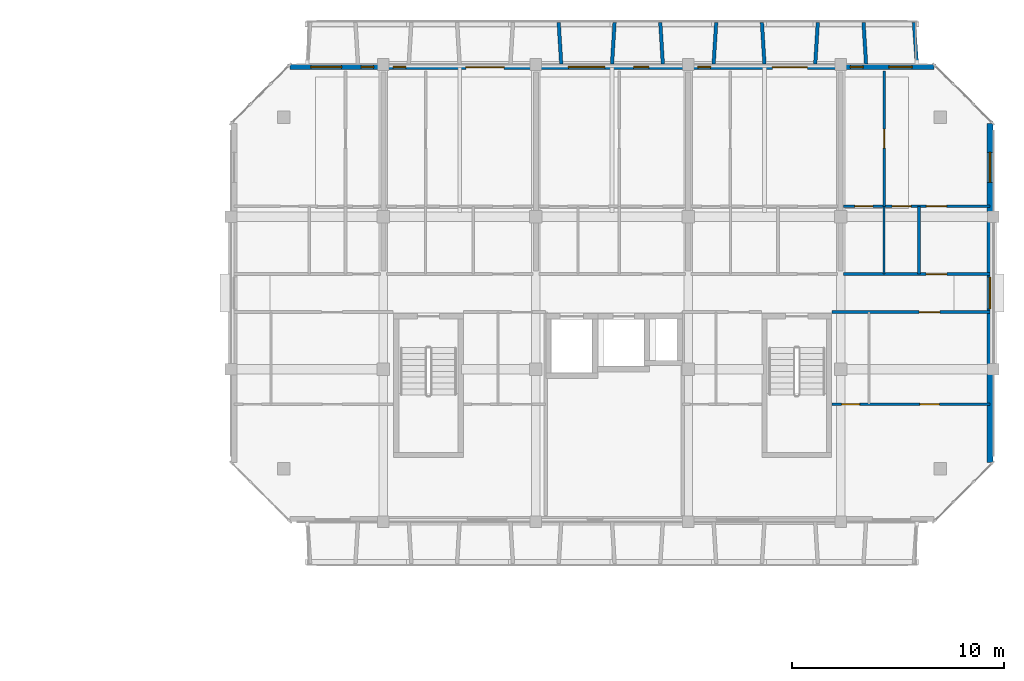
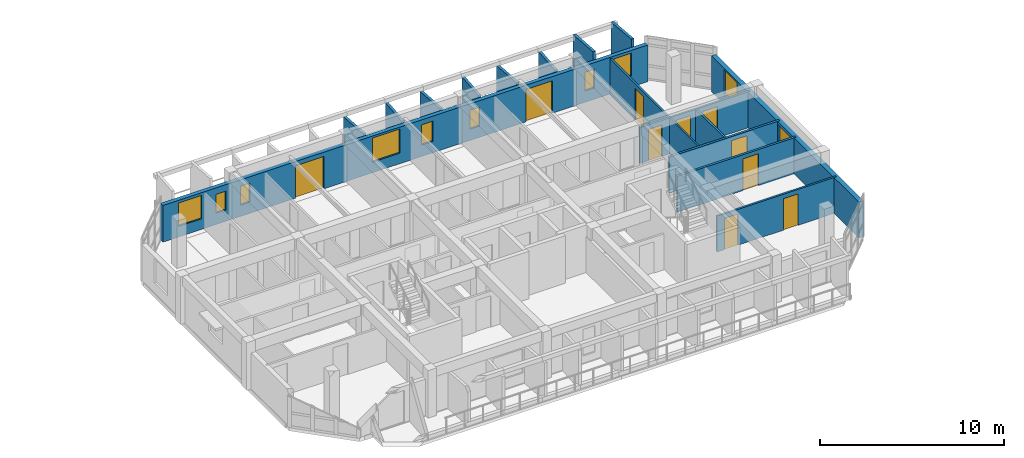
# One storey, part 35 of 51: 17 walls, 10 doors, 10 windows, 20 openings.
"""IFC4 building model written with IfcOpenShell, lengths in metres."""

from ifc_helpers import new_model, si_unit, direction, frame, frame_2d, origin, place, context, subcontext, project, spatial, rectangle, extrude, material, layer, layer_set, type_object, element, fill, save


model = new_model("IFC4")

# Units and contexts
model_context = context("Model", 3, precision=1e-05, world=origin(), true_north=direction((0.0, 1.0)))
body_context = subcontext(model_context, "Body", "Model", "MODEL_VIEW")
ifc_project = project(units=[si_unit("LENGTHUNIT", "METRE"), si_unit("AREAUNIT", "SQUARE_METRE"), si_unit("VOLUMEUNIT", "CUBIC_METRE"), si_unit("PLANEANGLEUNIT", "RADIAN"), si_unit("MASSUNIT", "GRAM", prefix="KILO")], contexts=[model_context])

# Site, building, storey
site_placement = place(None, origin())
site = spatial("IfcSite", under=ifc_project, at=site_placement, CompositionType="ELEMENT")
building_placement = place(site_placement, origin())
building = spatial("IfcBuilding", under=site, at=building_placement, Name="Ochrevale Crest", CompositionType="ELEMENT")
storey_placement = place(building_placement, frame((0.0, 0.0, 11.85009765625)))
storey = spatial("IfcBuildingStorey", under=building, at=storey_placement, Name="L03", CompositionType="ELEMENT", Elevation=11.85009765625)

# Wall, opening, door
ifc_material_1 = material(Name="Gypsum plasterboard", Category="gypsum")
ifc_layer_1 = layer(ifc_material_1, 0.139892578125)
ifc_layer_set_1 = layer_set([ifc_layer_1], Name="Gypsum plasterboard")
wall_type_1 = type_object("IfcWallType", Name="WL-COR-140", PredefinedType="PARTITIONING", material=ifc_layer_set_1)
wall_1_placement = place(storey_placement, frame((158.5400390625, 83.699951171875, 0.0), z_axis=(0.0, 0.0, 1.0), x_axis=(1.0, 0.0, 0.0)))
wall_1 = element("IfcWall", 1, at=wall_1_placement, inside=storey, type_object=wall_type_1, Name="Apartment D-L03-U5 corridor wall", PredefinedType="PARTITIONING", context=body_context, shape_type="SweptSolid", body=[
    extrude(rectangle(XDim=6.919921875, YDim=0.139892578125, at=frame_2d((3.4599609375, 0.0))), origin(), (0.0, 0.0, 1.0), 2.3798828125),
])
opening_1_placement = place(wall_1_placement, frame((4.875, 0.0, 0.0), z_axis=(0.0, 0.0, 1.0), x_axis=(-1.0, 0.0, 0.0)))
opening_1 = element("IfcOpeningElement", 2, at=opening_1_placement, cuts=wall_1, Name="Opening FD01", PredefinedType="OPENING", context=body_context, shape_type="SweptSolid", body=[
    extrude(rectangle(XDim=0.97998046875, YDim=2.10009765625, at=frame_2d((0.489990234375, 1.050048828125))), frame((0.0, 0.080078125, 0.0), z_axis=(0.0, -1.0, 0.0), x_axis=(1.0, 0.0, 0.0)), (0.0, 0.0, 1.0), 0.159912109375),
])
ifc_material_2 = material(Name="Solid-core FSC hardwood", Category="wood")
door_type_1 = type_object("IfcDoorType", Name="DR-APT-950", OperationType="NOTDEFINED", PredefinedType="DOOR", material=ifc_material_2)
door_1_placement = place(opening_1_placement, origin())
door_1 = element("IfcDoor", 3, at=door_1_placement, inside=storey, type_object=door_type_1, Name="Apartment D-L03-U5 entrance door", OperationType="SINGLE_SWING_RIGHT", OverallHeight=2.10009765625, OverallWidth=0.97998046875, PredefinedType="DOOR", context=body_context, shape_type="SweptSolid", body=[
    extrude(rectangle(XDim=0.97998046875, YDim=2.10009765625, at=frame_2d((0.489990234375, 1.050048828125))), frame((0.0, 0.02490234375, 0.0), z_axis=(0.0, -1.0, 0.0), x_axis=(1.0, 0.0, 0.0)), (0.0, 0.0, 1.0), 0.050048828125),
])
fill(opening_1, door_1)

wall_2_placement = place(storey_placement, frame((157.989990234375, 81.89990234375, 0.0), z_axis=(0.0, 0.0, 1.0), x_axis=(1.0, 0.0, 0.0)))
wall_2 = element("IfcWall", 4, at=wall_2_placement, inside=storey, type_object=wall_type_1, Name="Suite D-L03-CE corridor wall", PredefinedType="PARTITIONING", context=body_context, shape_type="SweptSolid", body=[
    extrude(rectangle(XDim=7.469970703125, YDim=0.139892578125, at=frame_2d((3.73486328125, 0.0))), origin(), (0.0, 0.0, 1.0), 2.3798828125),
])
opening_2_placement = place(wall_2_placement, frame((5.10009765625, 0.0, 0.0), z_axis=(0.0, 0.0, 1.0), x_axis=(-1.0, 0.0, 0.0)))
opening_2 = element("IfcOpeningElement", 5, at=opening_2_placement, cuts=wall_2, Name="Opening FD01", PredefinedType="OPENING", context=body_context, shape_type="SweptSolid", body=[
    extrude(rectangle(XDim=0.97998046875, YDim=2.10009765625, at=frame_2d((0.489990234375, 1.050048828125))), frame((0.0, 0.080078125, 0.0), z_axis=(0.0, -1.0, 0.0), x_axis=(1.0, 0.0, 0.0)), (0.0, 0.0, 1.0), 0.159912109375),
])
door_2_placement = place(opening_2_placement, origin())
door_2 = element("IfcDoor", 6, at=door_2_placement, inside=storey, type_object=door_type_1, Name="Suite D-L03-CE entrance door", OperationType="SINGLE_SWING_RIGHT", OverallHeight=2.10009765625, OverallWidth=0.97998046875, PredefinedType="DOOR", context=body_context, shape_type="SweptSolid", body=[
    extrude(rectangle(XDim=0.97998046875, YDim=2.10009765625, at=frame_2d((0.489990234375, 1.050048828125))), frame((0.0, 0.02490234375, 0.0), z_axis=(0.0, -1.0, 0.0), x_axis=(1.0, 0.0, 0.0)), (0.0, 0.0, 1.0), 0.050048828125),
])
fill(opening_2, door_2)

# Wall, openings, windows
ifc_material_3 = material(Name="Clay face brickwork", Category="masonry")
ifc_layer_2 = layer(ifc_material_3, 0.2900390625)
ifc_layer_set_2 = layer_set([ifc_layer_2], Name="Clay face brickwork")
wall_type_2 = type_object("IfcWallType", Name="WL-EXT-BRICK-290", PredefinedType="SOLIDWALL", material=ifc_layer_set_2)
wall_3_placement = place(storey_placement, frame((165.455078125, 74.800048828125, 0.0), z_axis=(0.0, 0.0, 1.0), x_axis=(0.0, 1.0, 0.0)))
wall_3 = element("IfcWall", 7, at=wall_3_placement, inside=storey, type_object=wall_type_2, Name="Block D L03 external facade wall E3", PredefinedType="SOLIDWALL", context=body_context, shape_type="SweptSolid", body=[
    extrude(rectangle(XDim=16.0, YDim=0.2900390625, at=frame_2d((8.0, 0.0))), origin(), (0.0, 0.0, 1.0), 2.3798828125),
])
opening_3_placement = place(wall_3_placement, frame((7.25, 0.0, 1.050048828125)))
opening_3 = element("IfcOpeningElement", 8, at=opening_3_placement, cuts=wall_3, Name="Opening W18", PredefinedType="OPENING", context=body_context, shape_type="SweptSolid", body=[
    extrude(rectangle(XDim=1.5, YDim=1.14990234375, at=frame_2d((0.75, 0.574951171875))), frame((0.0, 0.155029296875, 0.0), z_axis=(0.0, -1.0, 0.0), x_axis=(1.0, 0.0, 0.0)), (0.0, 0.0, 1.0), 0.31005859375),
])
opening_4_placement = place(wall_3_placement, frame((13.22509765625, 0.0, 0.669921875)))
opening_4 = element("IfcOpeningElement", 9, at=opening_4_placement, cuts=wall_3, Name="Opening W31", PredefinedType="OPENING", context=body_context, shape_type="SweptSolid", body=[
    extrude(rectangle(XDim=1.419921875, YDim=1.60009765625, at=frame_2d((0.7099609375, 0.800048828125))), frame((0.0, 0.155029296875, 0.0), z_axis=(0.0, -1.0, 0.0), x_axis=(1.0, 0.0, 0.0)), (0.0, 0.0, 1.0), 0.31005859375),
])
ifc_material_4 = material(Name="Anodised aluminium 6063-T5 and low-E double glazing", Category="aluminium")
window_type_1 = type_object("IfcWindowType", Name="WIN-W18", PartitioningType="SINGLE_PANEL", PredefinedType="WINDOW", material=ifc_material_4)
window_1_placement = place(opening_3_placement, origin())
window_1 = element("IfcWindow", 10, at=window_1_placement, inside=storey, type_object=window_type_1, Name="Block D L03 corridor end daylight window E", OverallHeight=1.14990234375, OverallWidth=1.5, PartitioningType="SINGLE_PANEL", PredefinedType="WINDOW", context=body_context, shape_type="SweptSolid", body=[
    extrude(rectangle(XDim=1.5, YDim=1.14990234375, at=frame_2d((0.75, 0.574951171875))), frame((0.0, 0.030029296875, 0.0), z_axis=(0.0, -1.0, 0.0), x_axis=(1.0, 0.0, 0.0)), (0.0, 0.0, 1.0), 0.06005859375),
])
fill(opening_3, window_1)
window_type_2 = type_object("IfcWindowType", Name="WIN-W31", PartitioningType="SINGLE_PANEL", PredefinedType="WINDOW", material=ifc_material_4)
window_2_placement = place(opening_4_placement, origin())
window_2 = element("IfcWindow", 11, at=window_2_placement, inside=storey, type_object=window_type_2, Name="Block D L03 side suite window E", OverallHeight=1.60009765625, OverallWidth=1.419921875, PartitioningType="SINGLE_PANEL", PredefinedType="WINDOW", context=body_context, shape_type="SweptSolid", body=[
    extrude(rectangle(XDim=1.419921875, YDim=1.60009765625, at=frame_2d((0.7099609375, 0.800048828125))), frame((0.0, 0.030029296875, 0.0), z_axis=(0.0, -1.0, 0.0), x_axis=(1.0, 0.0, 0.0)), (0.0, 0.0, 1.0), 0.06005859375),
])
fill(opening_4, window_2)

# Wall, openings, doors, windows
ifc_material_5 = material(Name="Precast concrete C40/50", Category="concrete")
ifc_layer_3 = layer(ifc_material_5, 0.25)
ifc_layer_set_3 = layer_set([ifc_layer_3], Name="Precast concrete C40/50")
wall_type_3 = type_object("IfcWallType", Name="WL-EXT-GOLD-250", PredefinedType="SOLIDWALL", material=ifc_layer_set_3)
wall_4_placement = place(storey_placement, frame((162.800048828125, 93.47509765625, 0.0), z_axis=(0.0, 0.0, 1.0), x_axis=(-1.0, 0.0, 0.0)))
wall_4 = element("IfcWall", 12, at=wall_4_placement, inside=storey, type_object=wall_type_3, Name="Block D L03 external facade wall E5", PredefinedType="SOLIDWALL", context=body_context, shape_type="SweptSolid", body=[
    extrude(rectangle(XDim=30.400146484375, YDim=0.25, at=frame_2d((15.2001953125, 0.0))), origin(), (0.0, 0.0, 1.0), 2.429931640625),
])
opening_5_placement = place(wall_4_placement, frame((22.10009765625, 0.0, 0.0), z_axis=(0.0, 0.0, 1.0), x_axis=(-1.0, 0.0, 0.0)))
opening_5 = element("IfcOpeningElement", 13, at=opening_5_placement, cuts=wall_4, Name="Opening BD03", PredefinedType="OPENING", context=body_context, shape_type="SweptSolid", body=[
    extrude(rectangle(XDim=1.800048828125, YDim=2.14990234375, at=frame_2d((0.89990234375, 1.074951171875))), frame((0.0, 0.135009765625, 0.0), z_axis=(0.0, -1.0, 0.0), x_axis=(1.0, 0.0, 0.0)), (0.0, 0.0, 1.0), 0.27001953125),
])
opening_6_placement = place(wall_4_placement, frame((7.625, 0.0, 0.0), z_axis=(0.0, 0.0, 1.0), x_axis=(-1.0, 0.0, 0.0)))
opening_6 = element("IfcOpeningElement", 14, at=opening_6_placement, cuts=wall_4, Name="Opening BD02", PredefinedType="OPENING", context=body_context, shape_type="SweptSolid", body=[
    extrude(rectangle(XDim=1.64990234375, YDim=2.14990234375, at=frame_2d((0.824951171875, 1.074951171875))), frame((0.0, 0.135009765625, 0.0), z_axis=(0.0, -1.0, 0.0), x_axis=(1.0, 0.0, 0.0)), (0.0, 0.0, 1.0), 0.27001953125),
])
opening_7_placement = place(wall_4_placement, frame((27.969970703125, 0.0, 0.699951171875)))
opening_7 = element("IfcOpeningElement", 15, at=opening_7_placement, cuts=wall_4, Name="Opening W08", PredefinedType="OPENING", context=body_context, shape_type="SweptSolid", body=[
    extrude(rectangle(XDim=1.4599609375, YDim=1.550048828125, at=frame_2d((0.72998046875, 0.77490234375))), frame((0.0, 0.135009765625, 0.0), z_axis=(0.0, -1.0, 0.0), x_axis=(1.0, 0.0, 0.0)), (0.0, 0.0, 1.0), 0.27001953125),
])
opening_8_placement = place(wall_4_placement, frame((26.45751953125, 0.0, 0.75)))
opening_8 = element("IfcOpeningElement", 16, at=opening_8_placement, cuts=wall_4, Name="Opening W01", PredefinedType="OPENING", context=body_context, shape_type="SweptSolid", body=[
    extrude(rectangle(XDim=0.60009765625, YDim=1.25, at=frame_2d((0.300048828125, 0.625))), frame((0.0, 0.135009765625, 0.0), z_axis=(0.0, -1.0, 0.0), x_axis=(1.0, 0.0, 0.0)), (0.0, 0.0, 1.0), 0.27001953125),
])
opening_9_placement = place(wall_4_placement, frame((24.9423828125, 0.0, 0.75)))
opening_9 = element("IfcOpeningElement", 17, at=opening_9_placement, cuts=wall_4, Name="Opening W01", PredefinedType="OPENING", context=body_context, shape_type="SweptSolid", body=[
    extrude(rectangle(XDim=0.60009765625, YDim=1.25, at=frame_2d((0.300048828125, 0.625))), frame((0.0, 0.135009765625, 0.0), z_axis=(0.0, -1.0, 0.0), x_axis=(1.0, 0.0, 0.0)), (0.0, 0.0, 1.0), 0.27001953125),
])
opening_10_placement = place(wall_4_placement, frame((15.5400390625, 0.0, 0.699951171875)))
opening_10 = element("IfcOpeningElement", 18, at=opening_10_placement, cuts=wall_4, Name="Opening W10", PredefinedType="OPENING", context=body_context, shape_type="SweptSolid", body=[
    extrude(rectangle(XDim=1.719970703125, YDim=1.60009765625, at=frame_2d((0.85986328125, 0.800048828125))), frame((0.0, 0.135009765625, 0.0), z_axis=(0.0, -1.0, 0.0), x_axis=(1.0, 0.0, 0.0)), (0.0, 0.0, 1.0), 0.27001953125),
])
opening_11_placement = place(wall_4_placement, frame((13.465087890625, 0.0, 0.75)))
opening_11 = element("IfcOpeningElement", 19, at=opening_11_placement, cuts=wall_4, Name="Opening W02", PredefinedType="OPENING", context=body_context, shape_type="SweptSolid", body=[
    extrude(rectangle(XDim=0.719970703125, YDim=1.35009765625, at=frame_2d((0.35986328125, 0.675048828125))), frame((0.0, 0.135009765625, 0.0), z_axis=(0.0, -1.0, 0.0), x_axis=(1.0, 0.0, 0.0)), (0.0, 0.0, 1.0), 0.27001953125),
])
opening_12_placement = place(wall_4_placement, frame((10.54248046875, 0.0, 0.75)))
opening_12 = element("IfcOpeningElement", 20, at=opening_12_placement, cuts=wall_4, Name="Opening W01", PredefinedType="OPENING", context=body_context, shape_type="SweptSolid", body=[
    extrude(rectangle(XDim=0.60009765625, YDim=1.25, at=frame_2d((0.300048828125, 0.625))), frame((0.0, 0.135009765625, 0.0), z_axis=(0.0, -1.0, 0.0), x_axis=(1.0, 0.0, 0.0)), (0.0, 0.0, 1.0), 0.27001953125),
])
opening_13_placement = place(wall_4_placement, frame((3.342529296875, 0.0, 0.75)))
opening_13 = element("IfcOpeningElement", 21, at=opening_13_placement, cuts=wall_4, Name="Opening W01", PredefinedType="OPENING", context=body_context, shape_type="SweptSolid", body=[
    extrude(rectangle(XDim=0.60009765625, YDim=1.25, at=frame_2d((0.300048828125, 0.625))), frame((0.0, 0.135009765625, 0.0), z_axis=(0.0, -1.0, 0.0), x_axis=(1.0, 0.0, 0.0)), (0.0, 0.0, 1.0), 0.27001953125),
])
opening_14_placement = place(wall_4_placement, frame((1.02001953125, 0.0, 0.75)))
opening_14 = element("IfcOpeningElement", 22, at=opening_14_placement, cuts=wall_4, Name="Opening W05", PredefinedType="OPENING", context=body_context, shape_type="SweptSolid", body=[
    extrude(rectangle(XDim=1.10009765625, YDim=1.5, at=frame_2d((0.550048828125, 0.75))), frame((0.0, 0.135009765625, 0.0), z_axis=(0.0, -1.0, 0.0), x_axis=(1.0, 0.0, 0.0)), (0.0, 0.0, 1.0), 0.27001953125),
])
ifc_material_6 = material(Name="Anodised aluminium 6063-T5 and toughened glass", Category="aluminium")
door_type_2 = type_object("IfcDoorType", Name="DR-BAL-1650", OperationType="NOTDEFINED", PredefinedType="DOOR", material=ifc_material_6)
door_3_placement = place(opening_6_placement, origin())
door_3 = element("IfcDoor", 23, at=door_3_placement, inside=storey, type_object=door_type_2, Name="Block D L03 balcony door N4", OperationType="SINGLE_SWING_RIGHT", OverallHeight=2.14990234375, OverallWidth=1.64990234375, PredefinedType="DOOR", context=body_context, shape_type="SweptSolid", body=[
    extrude(rectangle(XDim=1.64990234375, YDim=2.14990234375, at=frame_2d((0.824951171875, 1.074951171875))), frame((0.0, 0.02490234375, 0.0), z_axis=(0.0, -1.0, 0.0), x_axis=(1.0, 0.0, 0.0)), (0.0, 0.0, 1.0), 0.050048828125),
])
fill(opening_6, door_3)
door_type_3 = type_object("IfcDoorType", Name="DR-BAL-1800", OperationType="NOTDEFINED", PredefinedType="DOOR", material=ifc_material_6)
door_4_placement = place(opening_5_placement, origin())
door_4 = element("IfcDoor", 24, at=door_4_placement, inside=storey, type_object=door_type_3, Name="Block D L03 balcony door N2", OperationType="SINGLE_SWING_LEFT", OverallHeight=2.14990234375, OverallWidth=1.800048828125, PredefinedType="DOOR", context=body_context, shape_type="SweptSolid", body=[
    extrude(rectangle(XDim=1.800048828125, YDim=2.14990234375, at=frame_2d((0.89990234375, 1.074951171875))), frame((0.0, 0.02490234375, 0.0), z_axis=(0.0, -1.0, 0.0), x_axis=(1.0, 0.0, 0.0)), (0.0, 0.0, 1.0), 0.050048828125),
])
fill(opening_5, door_4)
window_type_3 = type_object("IfcWindowType", Name="WIN-W01", PartitioningType="SINGLE_PANEL", PredefinedType="WINDOW", material=ifc_material_4)
window_3_placement = place(opening_8_placement, origin())
window_3 = element("IfcWindow", 25, at=window_3_placement, inside=storey, type_object=window_type_3, Name="Block D L03 Apartment D-L03-U1 One Bedroom Living Room window", OverallHeight=1.25, OverallWidth=0.60009765625, PartitioningType="SINGLE_PANEL", PredefinedType="WINDOW", context=body_context, shape_type="SweptSolid", body=[
    extrude(rectangle(XDim=0.60009765625, YDim=1.25, at=frame_2d((0.300048828125, 0.625))), frame((0.0, 0.030029296875, 0.0), z_axis=(0.0, -1.0, 0.0), x_axis=(1.0, 0.0, 0.0)), (0.0, 0.0, 1.0), 0.06005859375),
])
fill(opening_8, window_3)
window_4_placement = place(opening_9_placement, origin())
window_4 = element("IfcWindow", 26, at=window_4_placement, inside=storey, type_object=window_type_3, Name="Block D L03 Apartment D-L03-U2 Twin Bedroom window", OverallHeight=1.25, OverallWidth=0.60009765625, PartitioningType="SINGLE_PANEL", PredefinedType="WINDOW", context=body_context, shape_type="SweptSolid", body=[
    extrude(rectangle(XDim=0.60009765625, YDim=1.25, at=frame_2d((0.300048828125, 0.625))), frame((0.0, 0.030029296875, 0.0), z_axis=(0.0, -1.0, 0.0), x_axis=(1.0, 0.0, 0.0)), (0.0, 0.0, 1.0), 0.06005859375),
])
fill(opening_9, window_4)
window_5_placement = place(opening_12_placement, origin())
window_5 = element("IfcWindow", 27, at=window_5_placement, inside=storey, type_object=window_type_3, Name="Block D L03 Apartment D-L03-U4 Master Bedroom window", OverallHeight=1.25, OverallWidth=0.60009765625, PartitioningType="SINGLE_PANEL", PredefinedType="WINDOW", context=body_context, shape_type="SweptSolid", body=[
    extrude(rectangle(XDim=0.60009765625, YDim=1.25, at=frame_2d((0.300048828125, 0.625))), frame((0.0, 0.030029296875, 0.0), z_axis=(0.0, -1.0, 0.0), x_axis=(1.0, 0.0, 0.0)), (0.0, 0.0, 1.0), 0.06005859375),
])
fill(opening_12, window_5)
window_6_placement = place(opening_13_placement, origin())
window_6 = element("IfcWindow", 28, at=window_6_placement, inside=storey, type_object=window_type_3, Name="Block D L03 Apartment D-L03-U5 Master Bedroom window", OverallHeight=1.25, OverallWidth=0.60009765625, PartitioningType="SINGLE_PANEL", PredefinedType="WINDOW", context=body_context, shape_type="SweptSolid", body=[
    extrude(rectangle(XDim=0.60009765625, YDim=1.25, at=frame_2d((0.300048828125, 0.625))), frame((0.0, 0.030029296875, 0.0), z_axis=(0.0, -1.0, 0.0), x_axis=(1.0, 0.0, 0.0)), (0.0, 0.0, 1.0), 0.06005859375),
])
fill(opening_13, window_6)
window_type_4 = type_object("IfcWindowType", Name="WIN-W02", PartitioningType="SINGLE_PANEL", PredefinedType="WINDOW", material=ifc_material_4)
window_7_placement = place(opening_11_placement, origin())
window_7 = element("IfcWindow", 29, at=window_7_placement, inside=storey, type_object=window_type_4, Name="Block D L03 Apartment D-L03-U3 Two Bedroom Living Room window", OverallHeight=1.35009765625, OverallWidth=0.719970703125, PartitioningType="SINGLE_PANEL", PredefinedType="WINDOW", context=body_context, shape_type="SweptSolid", body=[
    extrude(rectangle(XDim=0.719970703125, YDim=1.35009765625, at=frame_2d((0.35986328125, 0.675048828125))), frame((0.0, 0.030029296875, 0.0), z_axis=(0.0, -1.0, 0.0), x_axis=(1.0, 0.0, 0.0)), (0.0, 0.0, 1.0), 0.06005859375),
])
fill(opening_11, window_7)
window_type_5 = type_object("IfcWindowType", Name="WIN-W05", PartitioningType="SINGLE_PANEL", PredefinedType="WINDOW", material=ifc_material_4)
window_8_placement = place(opening_14_placement, origin())
window_8 = element("IfcWindow", 30, at=window_8_placement, inside=storey, type_object=window_type_5, Name="Block D L03 Apartment D-L03-U5 One Bedroom Living Room window", OverallHeight=1.5, OverallWidth=1.10009765625, PartitioningType="SINGLE_PANEL", PredefinedType="WINDOW", context=body_context, shape_type="SweptSolid", body=[
    extrude(rectangle(XDim=1.10009765625, YDim=1.5, at=frame_2d((0.550048828125, 0.75))), frame((0.0, 0.030029296875, 0.0), z_axis=(0.0, -1.0, 0.0), x_axis=(1.0, 0.0, 0.0)), (0.0, 0.0, 1.0), 0.06005859375),
])
fill(opening_14, window_8)
window_type_6 = type_object("IfcWindowType", Name="WIN-W08", PartitioningType="SINGLE_PANEL", PredefinedType="WINDOW", material=ifc_material_4)
window_9_placement = place(opening_7_placement, origin())
window_9 = element("IfcWindow", 31, at=window_9_placement, inside=storey, type_object=window_type_6, Name="Block D L03 Apartment D-L03-U1 Master Bedroom window", OverallHeight=1.550048828125, OverallWidth=1.4599609375, PartitioningType="SINGLE_PANEL", PredefinedType="WINDOW", context=body_context, shape_type="SweptSolid", body=[
    extrude(rectangle(XDim=1.4599609375, YDim=1.550048828125, at=frame_2d((0.72998046875, 0.77490234375))), frame((0.0, 0.030029296875, 0.0), z_axis=(0.0, -1.0, 0.0), x_axis=(1.0, 0.0, 0.0)), (0.0, 0.0, 1.0), 0.06005859375),
])
fill(opening_7, window_9)
window_type_7 = type_object("IfcWindowType", Name="WIN-W10", PartitioningType="SINGLE_PANEL", PredefinedType="WINDOW", material=ifc_material_4)
window_10_placement = place(opening_10_placement, origin())
window_10 = element("IfcWindow", 32, at=window_10_placement, inside=storey, type_object=window_type_7, Name="Block D L03 Apartment D-L03-U3 Double Bedroom window", OverallHeight=1.60009765625, OverallWidth=1.719970703125, PartitioningType="SINGLE_PANEL", PredefinedType="WINDOW", context=body_context, shape_type="SweptSolid", body=[
    extrude(rectangle(XDim=1.719970703125, YDim=1.60009765625, at=frame_2d((0.85986328125, 0.800048828125))), frame((0.0, 0.030029296875, 0.0), z_axis=(0.0, -1.0, 0.0), x_axis=(1.0, 0.0, 0.0)), (0.0, 0.0, 1.0), 0.06005859375),
])
fill(opening_10, window_10)

# Walls
ifc_layer_4 = layer(ifc_material_5, 0.1650390625)
ifc_layer_set_4 = layer_set([ifc_layer_4], Name="Precast concrete C40/50")
wall_type_4 = type_object("IfcWallType", Name="WL-HC-CHEEK-165", PredefinedType="ELEMENTEDWALL", material=ifc_layer_set_4)
for number, where, z_axis, x_axis, name in (
    (33, (145.199951171875, 93.6201171875, 0.0), (0.0, 0.0, 1.0), (-0.061046865508, 0.998134900808, 0.0), "Block D L03 N precast honeycomb cheek 6"),
    (34, (147.60009765625, 93.6201171875, 0.0), (0.0, 0.0, 1.0), (0.061046865508, 0.998134900808, 0.0), "Block D L03 N precast honeycomb cheek 7"),
    (35, (150.0, 93.6201171875, 0.0), (0.0, 0.0, 1.0), (-0.061170732449, 0.998127317276, 0.0), "Block D L03 N precast honeycomb cheek 8"),
):
    element("IfcWall", number, at=place(storey_placement, frame(where, z_axis=z_axis, x_axis=x_axis)), inside=storey, type_object=wall_type_4, Name=name, PredefinedType="ELEMENTEDWALL", context=body_context, shape_type="SweptSolid", body=[
        extrude(rectangle(XDim=1.963623046875, YDim=0.1650390625, at=frame_2d((0.98193359375, 0.0))), origin(), (0.0, 0.0, 1.0), 2.5498046875),
    ])
for number, where, z_axis, x_axis, name in (
    (36, (152.39990234375, 93.6201171875, 0.0), (0.0, 0.0, 1.0), (0.061170732449, 0.998127317276, 0.0), "Block D L03 N precast honeycomb cheek 9"),
    (37, (154.800048828125, 93.6201171875, 0.0), (0.0, 0.0, 1.0), (-0.061170732449, 0.998127317276, 0.0), "Block D L03 N precast honeycomb cheek 10"),
    (38, (157.199951171875, 93.6201171875, 0.0), (0.0, 0.0, 1.0), (0.061170732449, 0.998127317276, 0.0), "Block D L03 N precast honeycomb cheek 11"),
):
    element("IfcWall", number, at=place(storey_placement, frame(where, z_axis=z_axis, x_axis=x_axis)), inside=storey, type_object=wall_type_4, Name=name, PredefinedType="ELEMENTEDWALL", context=body_context, shape_type="SweptSolid", body=[
        extrude(rectangle(XDim=1.963623046875, YDim=0.1650390625, at=frame_2d((0.98193359375, 0.0))), origin(), (0.0, 0.0, 1.0), 2.579833984375),
    ])
wall_5_placement = place(storey_placement, frame((159.60009765625, 93.6201171875, 0.0), z_axis=(0.0, 0.0, 1.0), x_axis=(-0.061170732449, 0.998127317276, 0.0)))
element("IfcWall", 39, at=wall_5_placement, inside=storey, type_object=wall_type_4, Name="Block D L03 N precast honeycomb cheek 12", PredefinedType="ELEMENTEDWALL", context=body_context, shape_type="SweptSolid", body=[
    extrude(rectangle(XDim=1.963623046875, YDim=0.1650390625, at=frame_2d((0.98193359375, 0.0))), origin(), (0.0, 0.0, 1.0), 2.949951171875),
])
wall_6_placement = place(storey_placement, frame((162.0, 93.6201171875, 0.0), z_axis=(0.0, 0.0, 1.0), x_axis=(-0.071194071069, 0.997462482625, 0.0)))
element("IfcWall", 40, at=wall_6_placement, inside=storey, type_object=wall_type_4, Name="Block D L03 N precast honeycomb cheek 13", PredefinedType="ELEMENTEDWALL", context=body_context, shape_type="SweptSolid", body=[
    extrude(rectangle(XDim=1.96484375, YDim=0.1650390625, at=frame_2d((0.982421875, 0.0))), origin(), (0.0, 0.0, 1.0), 2.949951171875),
])
ifc_layer_5 = layer(ifc_material_1, 0.1201171875)
ifc_layer_set_5 = layer_set([ifc_layer_5], Name="Gypsum plasterboard")
wall_type_5 = type_object("IfcWallType", Name="WL-PART-120", PredefinedType="PARTITIONING", material=ifc_layer_set_5)
wall_7_placement = place(storey_placement, frame((162.10009765625, 83.699951171875, 0.0), z_axis=(0.0, 0.0, 1.0), x_axis=(0.0, 1.0, 0.0)))
element("IfcWall", 41, at=wall_7_placement, inside=storey, type_object=wall_type_5, Name="Apartment D-L03-U5 kitchen-foyer wall", PredefinedType="PARTITIONING", context=body_context, shape_type="SweptSolid", body=[
    extrude(rectangle(XDim=3.199951171875, YDim=0.1201171875, at=frame_2d((1.60009765625, 0.0))), origin(), (0.0, 0.0, 1.0), 2.375),
])

# Wall, openings, doors
wall_8_placement = place(storey_placement, frame((158.5400390625, 86.89990234375, 0.0), z_axis=(0.0, 0.0, 1.0), x_axis=(1.0, 0.0, 0.0)))
wall_8 = element("IfcWall", 42, at=wall_8_placement, inside=storey, type_object=wall_type_5, Name="Apartment D-L03-U5 central partition", PredefinedType="PARTITIONING", context=body_context, shape_type="SweptSolid", body=[
    extrude(rectangle(XDim=6.919921875, YDim=0.1201171875, at=frame_2d((3.4599609375, 0.0))), origin(), (0.0, 0.0, 1.0), 2.3798828125),
])
opening_15_placement = place(wall_8_placement, frame((0.530029296875, 0.0, 0.0)))
opening_15 = element("IfcOpeningElement", 43, at=opening_15_placement, cuts=wall_8, Name="Opening ID01", PredefinedType="OPENING", context=body_context, shape_type="SweptSolid", body=[
    extrude(rectangle(XDim=0.85009765625, YDim=2.080078125, at=frame_2d((0.425048828125, 1.0400390625))), frame((0.0, 0.070068359375, 0.0), z_axis=(0.0, -1.0, 0.0), x_axis=(1.0, 0.0, 0.0)), (0.0, 0.0, 1.0), 0.14013671875),
])
opening_16_placement = place(wall_8_placement, frame((3.184814453125, 0.0, 0.0), z_axis=(0.0, 0.0, 1.0), x_axis=(-1.0, 0.0, 0.0)))
opening_16 = element("IfcOpeningElement", 44, at=opening_16_placement, cuts=wall_8, Name="Opening ID02", PredefinedType="OPENING", context=body_context, shape_type="SweptSolid", body=[
    extrude(rectangle(XDim=0.89990234375, YDim=2.080078125, at=frame_2d((0.449951171875, 1.0400390625))), frame((0.0, 0.070068359375, 0.0), z_axis=(0.0, -1.0, 0.0), x_axis=(1.0, 0.0, 0.0)), (0.0, 0.0, 1.0), 0.14013671875),
])
opening_17_placement = place(wall_8_placement, frame((3.909912109375, 0.0, 0.0)))
opening_17 = element("IfcOpeningElement", 45, at=opening_17_placement, cuts=wall_8, Name="Opening ID06", PredefinedType="OPENING", context=body_context, shape_type="SweptSolid", body=[
    extrude(rectangle(XDim=0.949951171875, YDim=2.080078125, at=frame_2d((0.47509765625, 1.0400390625))), frame((0.0, 0.070068359375, 0.0), z_axis=(0.0, -1.0, 0.0), x_axis=(1.0, 0.0, 0.0)), (0.0, 0.0, 1.0), 0.14013671875),
])
door_type_4 = type_object("IfcDoorType", Name="DR-INT-900", OperationType="NOTDEFINED", PredefinedType="DOOR", material=ifc_material_2)
door_5_placement = place(opening_16_placement, origin())
door_5 = element("IfcDoor", 46, at=door_5_placement, inside=storey, type_object=door_type_4, Name="Apartment D-L03-U5 Kitchen door", OperationType="SINGLE_SWING_RIGHT", OverallHeight=2.080078125, OverallWidth=0.89990234375, PredefinedType="DOOR", context=body_context, shape_type="SweptSolid", body=[
    extrude(rectangle(XDim=0.89990234375, YDim=2.080078125, at=frame_2d((0.449951171875, 1.0400390625))), frame((0.0, 0.02490234375, 0.0), z_axis=(0.0, -1.0, 0.0), x_axis=(1.0, 0.0, 0.0)), (0.0, 0.0, 1.0), 0.050048828125),
])
fill(opening_16, door_5)
door_type_5 = type_object("IfcDoorType", Name="DR-INT-950", OperationType="NOTDEFINED", PredefinedType="DOOR", material=ifc_material_2)
door_6_placement = place(opening_17_placement, origin())
door_6 = element("IfcDoor", 47, at=door_6_placement, inside=storey, type_object=door_type_5, Name="Apartment D-L03-U5 Living Foyer door", OperationType="SINGLE_SWING_LEFT", OverallHeight=2.080078125, OverallWidth=0.949951171875, PredefinedType="DOOR", context=body_context, shape_type="SweptSolid", body=[
    extrude(rectangle(XDim=0.949951171875, YDim=2.080078125, at=frame_2d((0.47509765625, 1.0400390625))), frame((0.0, 0.02490234375, 0.0), z_axis=(0.0, -1.0, 0.0), x_axis=(1.0, 0.0, 0.0)), (0.0, 0.0, 1.0), 0.050048828125),
])
fill(opening_17, door_6)
door_type_6 = type_object("IfcDoorType", Name="DR-WC-850", OperationType="NOTDEFINED", PredefinedType="DOOR", material=ifc_material_2)
door_7_placement = place(opening_15_placement, origin())
door_7 = element("IfcDoor", 48, at=door_7_placement, inside=storey, type_object=door_type_6, Name="Apartment D-L03-U5 Bathroom door", OperationType="SINGLE_SWING_LEFT", OverallHeight=2.080078125, OverallWidth=0.85009765625, PredefinedType="DOOR", context=body_context, shape_type="SweptSolid", body=[
    extrude(rectangle(XDim=0.85009765625, YDim=2.080078125, at=frame_2d((0.425048828125, 1.0400390625))), frame((0.0, 0.02490234375, 0.0), z_axis=(0.0, -1.0, 0.0), x_axis=(1.0, 0.0, 0.0)), (0.0, 0.0, 1.0), 0.050048828125),
])
fill(opening_15, door_7)

# Wall, opening, door
wall_9_placement = place(storey_placement, frame((160.449951171875, 86.89990234375, 0.0), z_axis=(0.0, 0.0, 1.0), x_axis=(0.0, 1.0, 0.0)))
wall_9 = element("IfcWall", 49, at=wall_9_placement, inside=storey, type_object=wall_type_5, Name="Apartment D-L03-U5 bedroom partition", PredefinedType="PARTITIONING", context=body_context, shape_type="SweptSolid", body=[
    extrude(rectangle(XDim=6.400146484375, YDim=0.1201171875, at=frame_2d((3.2001953125, 0.0))), origin(), (0.0, 0.0, 1.0), 2.3798828125),
])
opening_18_placement = place(wall_9_placement, frame((2.75, 0.0, 0.0)))
opening_18 = element("IfcOpeningElement", 50, at=opening_18_placement, cuts=wall_9, Name="Opening ID02", PredefinedType="OPENING", context=body_context, shape_type="SweptSolid", body=[
    extrude(rectangle(XDim=0.89990234375, YDim=2.080078125, at=frame_2d((0.449951171875, 1.0400390625))), frame((0.0, 0.070068359375, 0.0), z_axis=(0.0, -1.0, 0.0), x_axis=(1.0, 0.0, 0.0)), (0.0, 0.0, 1.0), 0.14013671875),
])
door_8_placement = place(opening_18_placement, origin())
door_8 = element("IfcDoor", 51, at=door_8_placement, inside=storey, type_object=door_type_4, Name="Apartment D-L03-U5 Master Bedroom door", OperationType="SINGLE_SWING_RIGHT", OverallHeight=2.080078125, OverallWidth=0.89990234375, PredefinedType="DOOR", context=body_context, shape_type="SweptSolid", body=[
    extrude(rectangle(XDim=0.89990234375, YDim=2.080078125, at=frame_2d((0.449951171875, 1.0400390625))), frame((0.0, 0.02490234375, 0.0), z_axis=(0.0, -1.0, 0.0), x_axis=(1.0, 0.0, 0.0)), (0.0, 0.0, 1.0), 0.050048828125),
])
fill(opening_18, door_8)

# Wall, openings, doors
wall_10_placement = place(storey_placement, frame((157.989990234375, 77.550048828125, 0.0), z_axis=(0.0, 0.0, 1.0), x_axis=(1.0, 0.0, 0.0)))
wall_10 = element("IfcWall", 52, at=wall_10_placement, inside=storey, type_object=wall_type_5, Name="Suite D-L03-CE internal wall", PredefinedType="PARTITIONING", context=body_context, shape_type="SweptSolid", body=[
    extrude(rectangle(XDim=7.469970703125, YDim=0.1201171875, at=frame_2d((3.73486328125, 0.0))), origin(), (0.0, 0.0, 1.0), 2.3798828125),
])
opening_19_placement = place(wall_10_placement, frame((0.449951171875, 0.0, 0.0)))
opening_19 = element("IfcOpeningElement", 53, at=opening_19_placement, cuts=wall_10, Name="Opening ID01", PredefinedType="OPENING", context=body_context, shape_type="SweptSolid", body=[
    extrude(rectangle(XDim=0.85009765625, YDim=2.080078125, at=frame_2d((0.425048828125, 1.0400390625))), frame((0.0, 0.070068359375, 0.0), z_axis=(0.0, -1.0, 0.0), x_axis=(1.0, 0.0, 0.0)), (0.0, 0.0, 1.0), 0.14013671875),
])
opening_20_placement = place(wall_10_placement, frame((5.06982421875, 0.0, 0.0), z_axis=(0.0, 0.0, 1.0), x_axis=(-1.0, 0.0, 0.0)))
opening_20 = element("IfcOpeningElement", 54, at=opening_20_placement, cuts=wall_10, Name="Opening ID04", PredefinedType="OPENING", context=body_context, shape_type="SweptSolid", body=[
    extrude(rectangle(XDim=0.919921875, YDim=2.080078125, at=frame_2d((0.4599609375, 1.0400390625))), frame((0.0, 0.070068359375, 0.0), z_axis=(0.0, -1.0, 0.0), x_axis=(1.0, 0.0, 0.0)), (0.0, 0.0, 1.0), 0.14013671875),
])
door_type_7 = type_object("IfcDoorType", Name="DR-INT-920", OperationType="NOTDEFINED", PredefinedType="DOOR", material=ifc_material_2)
door_9_placement = place(opening_20_placement, origin())
door_9 = element("IfcDoor", 55, at=door_9_placement, inside=storey, type_object=door_type_7, Name="Suite D-L03-CE Master Bedroom door", OperationType="SINGLE_SWING_RIGHT", OverallHeight=2.080078125, OverallWidth=0.919921875, PredefinedType="DOOR", context=body_context, shape_type="SweptSolid", body=[
    extrude(rectangle(XDim=0.919921875, YDim=2.080078125, at=frame_2d((0.4599609375, 1.0400390625))), frame((0.0, 0.02490234375, 0.0), z_axis=(0.0, -1.0, 0.0), x_axis=(1.0, 0.0, 0.0)), (0.0, 0.0, 1.0), 0.050048828125),
])
fill(opening_20, door_9)
door_10_placement = place(opening_19_placement, origin())
door_10 = element("IfcDoor", 56, at=door_10_placement, inside=storey, type_object=door_type_6, Name="Suite D-L03-CE Bathroom door", OperationType="SINGLE_SWING_LEFT", OverallHeight=2.080078125, OverallWidth=0.85009765625, PredefinedType="DOOR", context=body_context, shape_type="SweptSolid", body=[
    extrude(rectangle(XDim=0.85009765625, YDim=2.080078125, at=frame_2d((0.425048828125, 1.0400390625))), frame((0.0, 0.02490234375, 0.0), z_axis=(0.0, -1.0, 0.0), x_axis=(1.0, 0.0, 0.0)), (0.0, 0.0, 1.0), 0.050048828125),
])
fill(opening_19, door_10)

# Wall
ifc_layer_6 = layer(ifc_material_1, 0.10009765625)
ifc_layer_set_6 = layer_set([ifc_layer_6], Name="Gypsum plasterboard")
wall_type_6 = type_object("IfcWallType", Name="WL-WET-100", PredefinedType="PARTITIONING", material=ifc_layer_set_6)
wall_11_placement = place(storey_placement, frame((160.449951171875, 83.699951171875, 0.0), z_axis=(0.0, 0.0, 1.0), x_axis=(0.0, 1.0, 0.0)))
element("IfcWall", 57, at=wall_11_placement, inside=storey, type_object=wall_type_6, Name="Apartment D-L03-U5 bath-kitchen wall", PredefinedType="PARTITIONING", context=body_context, shape_type="SweptSolid", body=[
    extrude(rectangle(XDim=3.199951171875, YDim=0.10009765625, at=frame_2d((1.60009765625, 0.0))), origin(), (0.0, 0.0, 1.0), 2.375),
])

save(model, "model.ifc")
